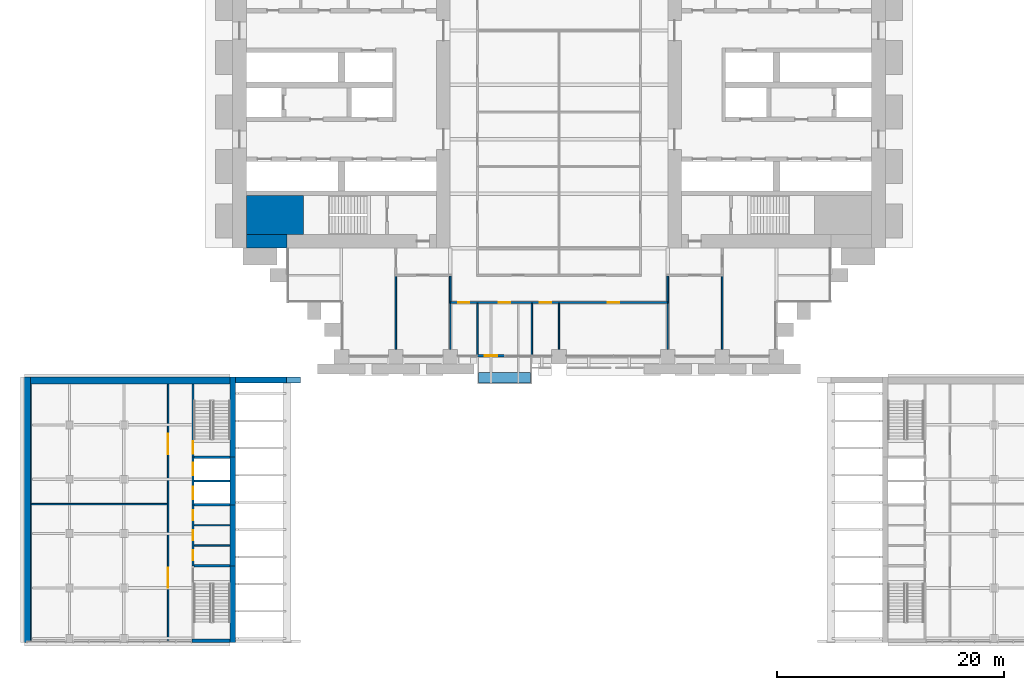
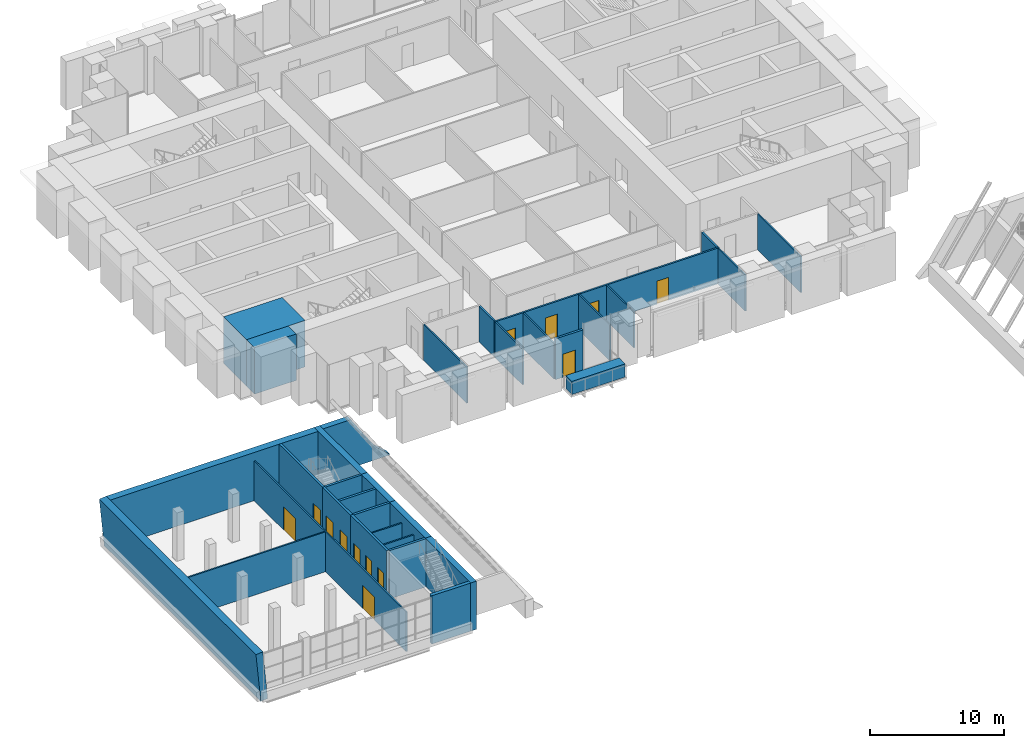
# One storey, part 22 of 32: 33 walls, 13 doors, 13 openings.
"""IFC4 building model written with IfcOpenShell, lengths in metres."""

import ifcopenshell
import ifcopenshell.guid

model = None  # the IFC model being written
_history = None  # IfcOwnerHistory: only IFC2X3 demands one
_inside = {}  # id of a spatial element -> (the spatial element, [elements in it])
_under = {}  # id of a project, library or spatial element -> (it, [spatial elements below it])
_declared = {}  # id of a project -> (the project, [libraries it declares])
_typed = {}  # id of a type object -> (the type object, [elements of that type])
_made_of = {}  # id of a material, layer set ... -> (it, [elements and type objects made of it])


def new_model(schema):
    """Start an empty IFC model of exactly this schema.

    Asked for "IFC4X3", IfcOpenShell would pick the latest addendum, in which some entities
    have other attributes; the version numbers below select the first issue.
    IFC2X3 requires an IfcOwnerHistory on every rooted entity: one is made here for all.
    """
    global model, _history
    if schema == "IFC4X3":
        model = ifcopenshell.file(schema_version=(4, 3, 0, 0))
    else:
        model = ifcopenshell.file(schema=schema)
    _inside.clear()
    _under.clear()
    _declared.clear()
    _typed.clear()
    _made_of.clear()
    _history = None
    if model.schema == "IFC2X3":
        org = make("IfcOrganization", Name="unknown")
        user = make(
            "IfcPersonAndOrganization",
            ThePerson=make("IfcPerson", FamilyName="unknown"),
            TheOrganization=org,
        )
        app = make(
            "IfcApplication",
            ApplicationDeveloper=org,
            Version="unknown",
            ApplicationFullName="unknown",
            ApplicationIdentifier="unknown",
        )
        _history = make(
            "IfcOwnerHistory",
            OwningUser=user,
            OwningApplication=app,
            ChangeAction="ADDED",
            CreationDate=0,
        )
    return model


def make(cls, **values):
    """One entity of the class cls with the attributes given. An attribute that is None is left unset."""
    return model.create_entity(
        cls, **{name: value for name, value in values.items() if value is not None}
    )


def rooted(cls, **values):
    """An entity with a GlobalId (a new one), such as an element, a storey or a relation."""
    return make(cls, GlobalId=ifcopenshell.guid.new(), OwnerHistory=_history, **values)


def si_unit(unit_type, name, prefix=None):
    """IfcSIUnit, for example si_unit("LENGTHUNIT", "METRE", prefix="MILLI")."""
    return make("IfcSIUnit", UnitType=unit_type, Prefix=prefix, Name=name)


def assignment(units):
    """IfcUnitAssignment: the units of a project."""
    return None if units is None else make("IfcUnitAssignment", Units=units)


def point(xyz):
    """IfcCartesianPoint."""
    return None if xyz is None else make("IfcCartesianPoint", Coordinates=xyz)


def direction(xyz):
    """IfcDirection."""
    return None if xyz is None else make("IfcDirection", DirectionRatios=xyz)


def frame(location, z_axis=None, x_axis=None):
    """IfcAxis2Placement3D, a coordinate frame: its origin and axes. An axis left out is left unset."""
    return make(
        "IfcAxis2Placement3D",
        Location=point(location),
        Axis=direction(z_axis),
        RefDirection=direction(x_axis),
    )


def frame_2d(location, x_axis=None):
    """IfcAxis2Placement2D, a coordinate frame in the plane: its origin and x axis."""
    return make(
        "IfcAxis2Placement2D", Location=point(location), RefDirection=direction(x_axis)
    )


def origin():
    """The frame at (0, 0, 0) with its axes left unset."""
    return frame((0.0, 0.0, 0.0))


def place(relative_to, where):
    """IfcLocalPlacement: puts the frame where relative to a parent placement (None: the world)."""
    return make(
        "IfcLocalPlacement", PlacementRelTo=relative_to, RelativePlacement=where
    )


def context(
    kind, dimensions, precision=None, world=None, true_north=None, identifier=None
):
    """IfcGeometricRepresentationContext, for example the 3D "Model" context."""
    return make(
        "IfcGeometricRepresentationContext",
        ContextIdentifier=identifier,
        ContextType=kind,
        CoordinateSpaceDimension=dimensions,
        Precision=precision,
        WorldCoordinateSystem=world,
        TrueNorth=true_north,
    )


def subcontext(parent, identifier, kind, view, scale=None):
    """IfcGeometricRepresentationSubContext, for example "Body" below "Model"."""
    return make(
        "IfcGeometricRepresentationSubContext",
        ContextIdentifier=identifier,
        ContextType=kind,
        ParentContext=parent,
        TargetScale=scale,
        TargetView=view,
    )


def project(units=None, contexts=None):
    """IfcProject with its units and contexts."""
    return rooted(
        "IfcProject",
        Name="project",
        RepresentationContexts=contexts,
        UnitsInContext=assignment(units),
    )


def spatial(cls, under=None, at=None, **own):
    """A site, building, storey or space (cls), placed at a placement, below another one or the project."""
    s = rooted(cls, ObjectPlacement=at, **own)
    if under is not None:
        _under.setdefault(under.id(), (under, []))[1].append(s)
    return s


def polyline(points):
    """IfcPolyline through the points."""
    return make("IfcPolyline", Points=[point(p) for p in points])


def profile(cls, at=None, kind="AREA", **sizes):
    """A parametric profile (cls). Its sizes go by their IFC names, for example OverallWidth=200.0."""
    return make(cls, ProfileType=kind, Position=at, **sizes)


def rectangle(**sizes):
    """IfcRectangleProfileDef."""
    return profile("IfcRectangleProfileDef", **sizes)


def outline(outer, holes=None, kind="AREA"):
    """IfcArbitraryClosedProfileDef: a profile drawn as a closed curve; with holes, ...WithVoids."""
    if holes is None:
        return make("IfcArbitraryClosedProfileDef", ProfileType=kind, OuterCurve=outer)
    return make(
        "IfcArbitraryProfileDefWithVoids",
        ProfileType=kind,
        OuterCurve=outer,
        InnerCurves=holes,
    )


def extrude(swept, where, along, depth):
    """IfcExtrudedAreaSolid: the profile swept, set in the frame where, extruded along a direction by depth."""
    return make(
        "IfcExtrudedAreaSolid",
        SweptArea=swept,
        Position=where,
        ExtrudedDirection=direction(along),
        Depth=depth,
    )


def shape(context_of_items, identifier, shape_type, items):
    """IfcShapeRepresentation: the items that make up one representation, for example the "Body"."""
    return make(
        "IfcShapeRepresentation",
        ContextOfItems=context_of_items,
        RepresentationIdentifier=identifier,
        RepresentationType=shape_type,
        Items=items,
    )


def material(Name=None, Category=None):
    """IfcMaterial."""
    return make("IfcMaterial", Name=Name, Category=Category)


def layer(
    of_material, thickness, ventilated=None, Name=None, Category=None, Priority=None
):
    """IfcMaterialLayer: one layer of a wall or slab, of a material (None: an air gap)."""
    return make(
        "IfcMaterialLayer",
        Material=of_material,
        LayerThickness=thickness,
        IsVentilated=ventilated,
        Name=Name,
        Category=Category,
        Priority=Priority,
    )


def layer_set(layers, Name=None):
    """IfcMaterialLayerSet."""
    return make("IfcMaterialLayerSet", MaterialLayers=layers, LayerSetName=Name)


def made_of(thing, what):
    """Note that an element or type object is made of a material, layer set ...; save() writes the relation."""
    if what is not None:
        _made_of.setdefault(what.id(), (what, []))[1].append(thing)
    return thing


def type_object(cls, material=None, **own):
    """A type object (cls), such as IfcWallType, which elements share."""
    return made_of(rooted(cls, **own), material)


def element(
    cls,
    number,
    at=None,
    inside=None,
    cuts=None,
    type_object=None,
    material=None,
    context=None,
    identifier="Body",
    shape_type=None,
    held_by="IfcProductDefinitionShape",
    body=None,
    shapes=None,
    **own,
):
    """One element of the class cls, such as IfcWall. Its Tag is "e" and its number.

    at: its placement. inside: the storey or other place that contains it. cuts: it is an
    opening in that element (IfcRelVoidsElement). A single representation is given by context,
    identifier, shape_type and body (its items); several are given by shapes. held_by: the class
    of the entity that holds the representations. save() writes the other relations.
    """
    e = rooted(cls, Tag="e%d" % number, ObjectPlacement=at, **own)
    if body is not None:
        shapes = [shape(context, identifier, shape_type, body)]
    if shapes is not None:
        e.Representation = make(held_by, Representations=shapes)
    if inside is not None:
        _inside.setdefault(inside.id(), (inside, []))[1].append(e)
    if cuts is not None:
        rooted(
            "IfcRelVoidsElement", RelatingBuildingElement=cuts, RelatedOpeningElement=e
        )
    if type_object is not None:
        _typed.setdefault(type_object.id(), (type_object, []))[1].append(e)
    return made_of(e, material)


def fill(opening, filler):
    """IfcRelFillsElement: the door or window that sits in an opening."""
    return rooted(
        "IfcRelFillsElement",
        RelatingOpeningElement=opening,
        RelatedBuildingElement=filler,
    )


def aggregate(whole, parts):
    """IfcRelAggregates: a whole, such as a stair, and the parts it consists of."""
    return rooted("IfcRelAggregates", RelatingObject=whole, RelatedObjects=parts)


def save(model, path):
    """Write the relations noted so far, then the file.

    IfcRelAggregates (storeys below a building ...), IfcRelContainedInSpatialStructure (elements
    in a storey), IfcRelDefinesByType, IfcRelAssociatesMaterial and IfcRelDeclares: one each for
    every whole, place, type object, material and project.
    """
    for whole, parts in _under.values():
        aggregate(whole, parts)
    for where, things in _inside.values():
        rooted(
            "IfcRelContainedInSpatialStructure",
            RelatedElements=things,
            RelatingStructure=where,
        )
    for kind, things in _typed.values():
        rooted("IfcRelDefinesByType", RelatedObjects=things, RelatingType=kind)
    for what, things in _made_of.values():
        rooted("IfcRelAssociatesMaterial", RelatedObjects=things, RelatingMaterial=what)
    for by, libraries in _declared.values():
        rooted("IfcRelDeclares", RelatingContext=by, RelatedDefinitions=libraries)
    model.write(path)


model = new_model("IFC4")

# Units and contexts
model_context = context("Model", 3, precision=1e-05, world=origin(), true_north=direction((0.0, 1.0)))
body_context = subcontext(model_context, "Body", "Model", "MODEL_VIEW")
ifc_project = project(units=[si_unit("LENGTHUNIT", "METRE"), si_unit("AREAUNIT", "SQUARE_METRE"), si_unit("VOLUMEUNIT", "CUBIC_METRE"), si_unit("PLANEANGLEUNIT", "RADIAN"), si_unit("MASSUNIT", "GRAM", prefix="KILO")], contexts=[model_context])

# Site, building, storey
site_placement = place(None, origin())
site = spatial("IfcSite", under=ifc_project, at=site_placement, CompositionType="ELEMENT")
building_placement = place(site_placement, origin())
building = spatial("IfcBuilding", under=site, at=building_placement, Name="Baori Bourse Tower", CompositionType="ELEMENT")
storey_placement = place(building_placement, frame((0.0, 0.0, 21.39990234375)))
storey = spatial("IfcBuildingStorey", under=building, at=storey_placement, Name="L03", CompositionType="ELEMENT", Elevation=21.39990234375)

# Walls
ifc_material_1 = material(Name="Concrete f'c 70 MPa", Category="concrete")
wall_type_1 = type_object("IfcWallType", Name="Core corner block f'c 70", PredefinedType="SHEAR", material=ifc_material_1)
wall_1_placement = place(storey_placement, frame((1.199951171875, 12.52490234375, 0.0), z_axis=(0.0, 0.0, 1.0), x_axis=(1.0, 0.0, 0.0)))
element("IfcWall", 1, at=wall_1_placement, inside=storey, type_object=wall_type_1, Name="Core wall W05", PredefinedType="SHEAR", context=body_context, shape_type="SweptSolid", body=[
    extrude(rectangle(XDim=5.050048828125, YDim=3.449951171875, at=frame_2d((2.52490234375, 0.0))), origin(), (0.0, 0.0, 1.0), 4.239990234375),
])
ifc_material_2 = material(Name="Concrete f'c 70 MPa", Category="concrete")
ifc_layer_1 = layer(ifc_material_2, 1.199951171875)
ifc_layer_set_1 = layer_set([ifc_layer_1], Name="Core wall 1200 f'c 70")
wall_type_2 = type_object("IfcWallType", Name="Core wall 1200 f'c 70", PredefinedType="SHEAR", material=ifc_layer_set_1)
wall_2_placement = place(storey_placement, frame((4.800048828125, 10.199951171875, 0.0), z_axis=(0.0, 0.0, 1.0), x_axis=(-1.0, 0.0, 0.0)))
element("IfcWall", 2, at=wall_2_placement, inside=storey, type_object=wall_type_2, Name="Core wall W02", PredefinedType="SHEAR", context=body_context, shape_type="SweptSolid", body=[
    extrude(rectangle(XDim=3.60009765625, YDim=1.199951171875, at=frame_2d((1.800048828125, 0.0))), origin(), (0.0, 0.0, 1.0), 4.239990234375),
])

# Wall, openings, doors
ifc_material_3 = material(Name="Gypsum board partition")
ifc_layer_2 = layer(ifc_material_3, 0.14990234375)
ifc_layer_set_2 = layer_set([ifc_layer_2], Name="Corridor partition 150")
wall_type_3 = type_object("IfcWallType", Name="Corridor partition 150", PredefinedType="PARTITIONING", material=ifc_layer_set_2)
wall_3_placement = place(storey_placement, frame((19.125, 4.800048828125, 0.0), z_axis=(0.0, 0.0, 1.0), x_axis=(1.0, 0.0, 0.0)))
wall_3 = element("IfcWall", 3, at=wall_3_placement, inside=storey, type_object=wall_type_3, Name="Partition", PredefinedType="PARTITIONING", context=body_context, shape_type="SweptSolid", body=[
    extrude(rectangle(XDim=19.35009765625, YDim=0.14990234375, at=frame_2d((9.675048828125, 0.0))), origin(), (0.0, 0.0, 1.0), 3.269775390625),
])
opening_1_placement = place(wall_3_placement, frame((0.77490234375, 0.0, 0.0)))
opening_1 = element("IfcOpeningElement", 4, at=opening_1_placement, cuts=wall_3, Name="Opening L03-D01", PredefinedType="OPENING", context=body_context, shape_type="SweptSolid", body=[
    extrude(rectangle(XDim=1.0, YDim=2.10009765625, at=frame_2d((0.5, 1.050048828125))), frame((0.0, 0.0849609375, 0.0), z_axis=(0.0, -1.0, 0.0), x_axis=(1.0, 0.0, 0.0)), (0.0, 0.0, 1.0), 0.169921875),
])
opening_2_placement = place(wall_3_placement, frame((4.375, 0.0, 0.0)))
opening_2 = element("IfcOpeningElement", 5, at=opening_2_placement, cuts=wall_3, Name="Opening L03-D02", PredefinedType="OPENING", context=body_context, shape_type="SweptSolid", body=[
    extrude(rectangle(XDim=1.0, YDim=2.10009765625, at=frame_2d((0.5, 1.050048828125))), frame((0.0, 0.0849609375, 0.0), z_axis=(0.0, -1.0, 0.0), x_axis=(1.0, 0.0, 0.0)), (0.0, 0.0, 1.0), 0.169921875),
])
opening_3_placement = place(wall_3_placement, frame((7.97509765625, 0.0, 0.0)))
opening_3 = element("IfcOpeningElement", 6, at=opening_3_placement, cuts=wall_3, Name="Opening L03-D03", PredefinedType="OPENING", context=body_context, shape_type="SweptSolid", body=[
    extrude(rectangle(XDim=1.0, YDim=2.10009765625, at=frame_2d((0.5, 1.050048828125))), frame((0.0, 0.0849609375, 0.0), z_axis=(0.0, -1.0, 0.0), x_axis=(1.0, 0.0, 0.0)), (0.0, 0.0, 1.0), 0.169921875),
])
opening_4_placement = place(wall_3_placement, frame((13.97509765625, 0.0, 0.0)))
opening_4 = element("IfcOpeningElement", 7, at=opening_4_placement, cuts=wall_3, Name="Opening L03-D04", PredefinedType="OPENING", context=body_context, shape_type="SweptSolid", body=[
    extrude(rectangle(XDim=1.0, YDim=2.10009765625, at=frame_2d((0.5, 1.050048828125))), frame((0.0, 0.0849609375, 0.0), z_axis=(0.0, -1.0, 0.0), x_axis=(1.0, 0.0, 0.0)), (0.0, 0.0, 1.0), 0.169921875),
])
ifc_material_4 = material(Name="Timber door leaf", Category="wood")
door_type_1 = type_object("IfcDoorType", Name="Door 1000 x 2100", OperationType="SINGLE_SWING_LEFT", PredefinedType="DOOR", material=ifc_material_4)
door_1_placement = place(opening_1_placement, origin())
door_1 = element("IfcDoor", 8, at=door_1_placement, inside=storey, type_object=door_type_1, Name="Door", OperationType="SINGLE_SWING_LEFT", OverallHeight=2.10009765625, OverallWidth=1.0, PredefinedType="DOOR", context=body_context, shape_type="SweptSolid", body=[
    extrude(rectangle(XDim=1.0, YDim=2.10009765625, at=frame_2d((0.5, 1.050048828125))), frame((0.0, 0.02490234375, 0.0), z_axis=(0.0, -1.0, 0.0), x_axis=(1.0, 0.0, 0.0)), (0.0, 0.0, 1.0), 0.050048828125),
])
fill(opening_1, door_1)
door_2_placement = place(opening_2_placement, origin())
door_2 = element("IfcDoor", 9, at=door_2_placement, inside=storey, type_object=door_type_1, Name="Door", OperationType="SINGLE_SWING_LEFT", OverallHeight=2.10009765625, OverallWidth=1.0, PredefinedType="DOOR", context=body_context, shape_type="SweptSolid", body=[
    extrude(rectangle(XDim=1.0, YDim=2.10009765625, at=frame_2d((0.5, 1.050048828125))), frame((0.0, 0.02490234375, 0.0), z_axis=(0.0, -1.0, 0.0), x_axis=(1.0, 0.0, 0.0)), (0.0, 0.0, 1.0), 0.050048828125),
])
fill(opening_2, door_2)
door_3_placement = place(opening_3_placement, origin())
door_3 = element("IfcDoor", 10, at=door_3_placement, inside=storey, type_object=door_type_1, Name="Door", OperationType="SINGLE_SWING_LEFT", OverallHeight=2.10009765625, OverallWidth=1.0, PredefinedType="DOOR", context=body_context, shape_type="SweptSolid", body=[
    extrude(rectangle(XDim=1.0, YDim=2.10009765625, at=frame_2d((0.5, 1.050048828125))), frame((0.0, 0.02490234375, 0.0), z_axis=(0.0, -1.0, 0.0), x_axis=(1.0, 0.0, 0.0)), (0.0, 0.0, 1.0), 0.050048828125),
])
fill(opening_3, door_3)
door_4_placement = place(opening_4_placement, origin())
door_4 = element("IfcDoor", 11, at=door_4_placement, inside=storey, type_object=door_type_1, Name="Door", OperationType="SINGLE_SWING_RIGHT", OverallHeight=2.10009765625, OverallWidth=1.0, PredefinedType="DOOR", context=body_context, shape_type="SweptSolid", body=[
    extrude(rectangle(XDim=1.0, YDim=2.10009765625, at=frame_2d((0.5, 1.050048828125))), frame((0.0, 0.02490234375, 0.0), z_axis=(0.0, -1.0, 0.0), x_axis=(1.0, 0.0, 0.0)), (0.0, 0.0, 1.0), 0.050048828125),
])
fill(opening_4, door_4)

# Walls
for number, where, z_axis, x_axis, name in (
    (12, (19.199951171875, 4.875, 0.0), (0.0, 0.0, 1.0), (0.0, 1.0, 0.0), "Partition"),
    (13, (38.39990234375, 4.875, 0.0), (0.0, 0.0, 1.0), (0.0, 1.0, 0.0), "Partition"),
):
    element("IfcWall", number, at=place(storey_placement, frame(where, z_axis=z_axis, x_axis=x_axis)), inside=storey, type_object=wall_type_3, Name=name, PredefinedType="PARTITIONING", context=body_context, shape_type="SweptSolid", body=[
        extrude(rectangle(XDim=2.25, YDim=0.14990234375, at=frame_2d((1.125, 0.0))), origin(), (0.0, 0.0, 1.0), 3.269775390625),
    ])

# Wall, opening, door
ifc_material_5 = material(Name="Pale anodised aluminium", Category="aluminium")
ifc_layer_3 = layer(ifc_material_5, 0.199951171875)
ifc_layer_set_3 = layer_set([ifc_layer_3], Name="EW1 External wall bay")
wall_type_4 = type_object("IfcWallType", Name="EW1 External wall bay", PredefinedType="SOLIDWALL", material=ifc_layer_set_3)
wall_4_placement = place(storey_placement, frame((21.60009765625, 0.10009765625, 0.0), z_axis=(0.0, 0.0, 1.0), x_axis=(1.0, 0.0, 0.0)))
wall_4 = element("IfcWall", 14, at=wall_4_placement, inside=storey, type_object=wall_type_4, Name="External wall bay L03 2", PredefinedType="SOLIDWALL", context=body_context, shape_type="SweptSolid", body=[
    extrude(rectangle(XDim=2.39990234375, YDim=0.199951171875, at=frame_2d((1.199951171875, 0.0))), origin(), (0.0, 0.0, 1.0), 3.71435546875),
])
opening_5_placement = place(wall_4_placement, frame((0.64990234375, 0.0, 0.0)))
opening_5 = element("IfcOpeningElement", 15, at=opening_5_placement, cuts=wall_4, Name="Opening L03-D92", PredefinedType="OPENING", context=body_context, shape_type="SweptSolid", body=[
    extrude(rectangle(XDim=1.10009765625, YDim=2.10009765625, at=frame_2d((0.550048828125, 1.050048828125))), frame((0.0, 0.10986328125, 0.0), z_axis=(0.0, -1.0, 0.0), x_axis=(1.0, 0.0, 0.0)), (0.0, 0.0, 1.0), 0.219970703125),
])
ifc_material_6 = material(Name="Pale anodised aluminium", Category="aluminium")
door_type_2 = type_object("IfcDoorType", Name="BL1 Balcony door", OperationType="SINGLE_SWING_LEFT", PredefinedType="DOOR", material=ifc_material_6)
door_5_placement = place(opening_5_placement, origin())
door_5 = element("IfcDoor", 16, at=door_5_placement, inside=storey, type_object=door_type_2, Name="Balcony door L03 2", OperationType="SINGLE_SWING_LEFT", OverallHeight=2.10009765625, OverallWidth=1.10009765625, PredefinedType="DOOR", context=body_context, shape_type="SweptSolid", body=[
    extrude(rectangle(XDim=1.10009765625, YDim=2.10009765625, at=frame_2d((0.550048828125, 1.050048828125))), frame((0.0, 0.02490234375, 0.0), z_axis=(0.0, -1.0, 0.0), x_axis=(1.0, 0.0, 0.0)), (0.0, 0.0, 1.0), 0.050048828125),
])
fill(opening_5, door_5)

# Walls
ifc_material_7 = material(Name="Concrete f'c 50 MPa", Category="concrete")
ifc_layer_4 = layer(ifc_material_7, 0.300048828125)
ifc_layer_set_4 = layer_set([ifc_layer_4], Name="Entrance wall 300")
wall_type_5 = type_object("IfcWallType", Name="Entrance wall 300", PredefinedType="SOLIDWALL", material=ifc_layer_set_4)
wall_5_placement = place(storey_placement, frame((-3.60009765625, -25.050048828125, 0.0), z_axis=(0.0, 0.0, 1.0), x_axis=(1.0, 0.0, 0.0)))
element("IfcWall", 17, at=wall_5_placement, inside=storey, type_object=wall_type_5, Name="wing/L03/Wsouthwall/001", PredefinedType="SOLIDWALL", context=body_context, shape_type="SweptSolid", body=[
    extrude(rectangle(XDim=3.35009765625, YDim=0.300048828125, at=frame_2d((1.675048828125, 0.0))), origin(), (0.0, 0.0, 1.0), 4.400146484375),
])
ifc_material_8 = material(Name="Concrete f'c 50 MPa", Category="concrete")
ifc_layer_5 = layer(ifc_material_8, 0.5)
ifc_layer_set_5 = layer_set([ifc_layer_5], Name="Hall end wall 500")
wall_type_6 = type_object("IfcWallType", Name="Hall end wall 500", PredefinedType="SOLIDWALL", material=ifc_layer_set_5)
wall_6_placement = place(storey_placement, frame((0.0, -1.800048828125, 0.0), z_axis=(0.0, 0.0, 1.0), x_axis=(0.0, -1.0, 0.0)))
element("IfcWall", 18, at=wall_6_placement, inside=storey, type_object=wall_type_6, Name="wing/L03/Whallwall/001", PredefinedType="SOLIDWALL", context=body_context, shape_type="SweptSolid", body=[
    extrude(rectangle(XDim=7.06005859375, YDim=0.5, at=frame_2d((3.530029296875, 0.0))), origin(), (0.0, 0.0, 1.0), 4.400146484375),
])
wall_7_placement = place(storey_placement, frame((0.0, -8.860107421875, 0.0), z_axis=(0.0, 0.0, 1.0), x_axis=(0.0, -1.0, 0.0)))
element("IfcWall", 19, at=wall_7_placement, inside=storey, type_object=wall_type_6, Name="wing/L03/Whallwall/002", PredefinedType="SOLIDWALL", context=body_context, shape_type="SweptSolid", body=[
    extrude(rectangle(XDim=4.199951171875, YDim=0.5, at=frame_2d((2.10009765625, 0.0))), origin(), (0.0, 0.0, 1.0), 4.400146484375),
])
wall_8_placement = place(storey_placement, frame((0.0, -13.06005859375, 0.0), z_axis=(0.0, 0.0, 1.0), x_axis=(0.0, -1.0, 0.0)))
element("IfcWall", 20, at=wall_8_placement, inside=storey, type_object=wall_type_6, Name="wing/L03/Whallwall/003", PredefinedType="SOLIDWALL", context=body_context, shape_type="SweptSolid", body=[
    extrude(rectangle(XDim=5.3798828125, YDim=0.5, at=frame_2d((2.68994140625, 0.0))), origin(), (0.0, 0.0, 1.0), 4.400146484375),
])
wall_9_placement = place(storey_placement, frame((0.0, -18.43994140625, 0.0), z_axis=(0.0, 0.0, 1.0), x_axis=(0.0, -1.0, 0.0)))
element("IfcWall", 21, at=wall_9_placement, inside=storey, type_object=wall_type_6, Name="wing/L03/Whallwall/004", PredefinedType="SOLIDWALL", context=body_context, shape_type="SweptSolid", body=[
    extrude(rectangle(XDim=6.760009765625, YDim=0.5, at=frame_2d((3.3798828125, 0.0))), origin(), (0.0, 0.0, 1.0), 4.400146484375),
])
ifc_material_9 = material(Name="Concrete f'c 50 MPa", Category="concrete")
ifc_layer_6 = layer(ifc_material_9, 0.5)
ifc_layer_set_6 = layer_set([ifc_layer_6], Name="Hall north wall 500")
wall_type_7 = type_object("IfcWallType", Name="Hall north wall 500", PredefinedType="SOLIDWALL", material=ifc_layer_set_6)
wall_10_placement = place(storey_placement, frame((0.25, -2.050048828125, 0.0), z_axis=(0.0, 0.0, 1.0), x_axis=(1.0, 0.0, 0.0)))
element("IfcWall", 22, at=wall_10_placement, inside=storey, type_object=wall_type_7, Name="wing/L03/hallnorth/001", PredefinedType="SOLIDWALL", context=body_context, shape_type="SweptSolid", body=[
    extrude(outline(polyline([(0.0, 0.0), (5.72314453125, 0.0), (5.72314453125, 0.10009765625), (4.550048828125, 1.130126953125), (2.37744140625, 4.400146484375), (0.0, 4.400146484375), (0.0, 0.0)])), frame((0.0, 0.25, 0.0), z_axis=(0.0, -1.0, 0.0), x_axis=(1.0, 0.0, 0.0)), (0.0, 0.0, 1.0), 0.5),
])
ifc_material_10 = material(Name="Concrete f'c 50 MPa", Category="concrete")
ifc_layer_7 = layer(ifc_material_10, 0.60009765625)
ifc_layer_set_7 = layer_set([ifc_layer_7], Name="Leaning end wall 600")
wall_type_8 = type_object("IfcWallType", Name="Leaning end wall 600", PredefinedType="SOLIDWALL", material=ifc_layer_set_7)
wall_11_placement = place(storey_placement, frame((-17.75, -25.199951171875, 0.0), z_axis=(0.995398398048, 0.0, 0.095822905211), x_axis=(0.0, 1.0, 0.0)))
element("IfcWall", 23, at=wall_11_placement, inside=storey, type_object=wall_type_8, Name="wing/L03/Wleanwall/001", PredefinedType="SOLIDWALL", context=body_context, shape_type="SweptSolid", body=[
    extrude(outline(polyline([(0.0, 0.0), (23.39990234375, 0.0), (23.39990234375, 4.420487809707959), (0.0, 4.420487809707959), (0.0, 0.0)])), origin(), (0.0, 0.0, -1.0), 0.60009765625),
])
ifc_material_11 = material(Name="Concrete f'c 40 MPa", Category="concrete")
ifc_layer_8 = layer(ifc_material_11, 0.89990234375)
ifc_layer_set_8 = layer_set([ifc_layer_8], Name="PW1 Planter wall")
wall_type_9 = type_object("IfcWallType", Name="PW1 Planter wall", PredefinedType="USERDEFINED", material=ifc_layer_set_8)
wall_12_placement = place(storey_placement, frame((21.699951171875, -1.85009765625, 0.0), z_axis=(0.0, 0.0, 1.0), x_axis=(1.0, 0.0, 0.0)))
element("IfcWall", 24, at=wall_12_placement, inside=storey, type_object=wall_type_9, Name="Planter balcony S L03 1", ObjectType="PLANTER", PredefinedType="USERDEFINED", context=body_context, shape_type="SweptSolid", body=[
    extrude(rectangle(XDim=4.60009765625, YDim=0.89990234375, at=frame_2d((2.300048828125, 0.0))), origin(), (0.0, 0.0, 1.0), 1.2001953125),
])
ifc_material_12 = material(Name="Gypsum board partition")
ifc_layer_9 = layer(ifc_material_12, 0.125)
ifc_layer_set_9 = layer_set([ifc_layer_9], Name="Partition 125")
wall_type_10 = type_object("IfcWallType", Name="Partition 125", PredefinedType="PARTITIONING", material=ifc_layer_set_9)
wall_13_placement = place(storey_placement, frame((14.39990234375, 0.64990234375, 0.0), z_axis=(0.0, 0.0, 1.0), x_axis=(0.0, 1.0, 0.0)))
element("IfcWall", 25, at=wall_13_placement, inside=storey, type_object=wall_type_10, Name="Partition", PredefinedType="PARTITIONING", context=body_context, shape_type="SweptSolid", body=[
    extrude(rectangle(XDim=6.47509765625, YDim=0.125, at=frame_2d((3.237548828125, 0.0))), origin(), (0.0, 0.0, 1.0), 3.269775390625),
])
wall_14_placement = place(storey_placement, frame((19.199951171875, 0.64990234375, 0.0), z_axis=(0.0, 0.0, 1.0), x_axis=(0.0, 1.0, 0.0)))
element("IfcWall", 26, at=wall_14_placement, inside=storey, type_object=wall_type_10, Name="Partition", PredefinedType="PARTITIONING", context=body_context, shape_type="SweptSolid", body=[
    extrude(rectangle(XDim=4.0751953125, YDim=0.125, at=frame_2d((2.03759765625, 0.0))), origin(), (0.0, 0.0, 1.0), 3.269775390625),
])
for number, where, z_axis, x_axis, name in (
    (27, (21.60009765625, 0.10009765625, 0.0), (0.0, 0.0, 1.0), (0.0, 1.0, 0.0), "Partition"),
    (28, (26.39990234375, 0.10009765625, 0.0), (0.0, 0.0, 1.0), (0.0, 1.0, 0.0), "Partition"),
):
    element("IfcWall", number, at=place(storey_placement, frame(where, z_axis=z_axis, x_axis=x_axis)), inside=storey, type_object=wall_type_10, Name=name, PredefinedType="PARTITIONING", context=body_context, shape_type="SweptSolid", body=[
        extrude(rectangle(XDim=4.625, YDim=0.125, at=frame_2d((2.3125, 0.0))), origin(), (0.0, 0.0, 1.0), 3.269775390625),
    ])
for number, where, z_axis, x_axis, name in (
    (29, (28.800048828125, 0.64990234375, 0.0), (0.0, 0.0, 1.0), (0.0, 1.0, 0.0), "Partition"),
    (30, (38.39990234375, 0.64990234375, 0.0), (0.0, 0.0, 1.0), (0.0, 1.0, 0.0), "Partition"),
):
    element("IfcWall", number, at=place(storey_placement, frame(where, z_axis=z_axis, x_axis=x_axis)), inside=storey, type_object=wall_type_10, Name=name, PredefinedType="PARTITIONING", context=body_context, shape_type="SweptSolid", body=[
        extrude(rectangle(XDim=4.0751953125, YDim=0.125, at=frame_2d((2.03759765625, 0.0))), origin(), (0.0, 0.0, 1.0), 3.269775390625),
    ])
wall_15_placement = place(storey_placement, frame((43.199951171875, 0.64990234375, 0.0), z_axis=(0.0, 0.0, 1.0), x_axis=(0.0, 1.0, 0.0)))
element("IfcWall", 31, at=wall_15_placement, inside=storey, type_object=wall_type_10, Name="Partition", PredefinedType="PARTITIONING", context=body_context, shape_type="SweptSolid", body=[
    extrude(rectangle(XDim=6.47509765625, YDim=0.125, at=frame_2d((3.237548828125, 0.0))), origin(), (0.0, 0.0, 1.0), 3.269775390625),
])

# Wall, opening, door
ifc_material_13 = material(Name="Concrete f'c 50 MPa", Category="concrete")
ifc_layer_10 = layer(ifc_material_13, 0.199951171875)
ifc_layer_set_10 = layer_set([ifc_layer_10], Name="Shaft wall 200")
wall_type_11 = type_object("IfcWallType", Name="Shaft wall 200", PredefinedType="SOLIDWALL", material=ifc_layer_set_10)
wall_16_placement = place(storey_placement, frame((-3.5, -2.39990234375, 0.0), z_axis=(0.0, 0.0, 1.0), x_axis=(0.0, -1.0, 0.0)))
wall_16 = element("IfcWall", 32, at=wall_16_placement, inside=storey, type_object=wall_type_11, Name="wing/L03/WcorrwallE/001", PredefinedType="SOLIDWALL", context=body_context, shape_type="SweptSolid", body=[
    extrude(rectangle(XDim=6.460205078125, YDim=0.199951171875, at=frame_2d((3.22998046875, 0.0))), origin(), (0.0, 0.0, 1.0), 4.400146484375),
])
opening_6_placement = place(wall_16_placement, frame((5.050048828125, 0.0, 0.0)))
opening_6 = element("IfcOpeningElement", 33, at=opening_6_placement, cuts=wall_16, Name="Opening WGW-L03-01", PredefinedType="OPENING", context=body_context, shape_type="SweptSolid", body=[
    extrude(rectangle(XDim=1.10009765625, YDim=2.10009765625, at=frame_2d((0.550048828125, 1.050048828125))), frame((0.0, 0.10986328125, 0.0), z_axis=(0.0, -1.0, 0.0), x_axis=(1.0, 0.0, 0.0)), (0.0, 0.0, 1.0), 0.219970703125),
])
ifc_material_14 = material(Name="Steel fire door", Category="steel")
door_type_3 = type_object("IfcDoorType", Name="Wing stair door 1100", OperationType="SINGLE_SWING_LEFT", PredefinedType="DOOR", material=ifc_material_14)
door_6_placement = place(opening_6_placement, origin())
door_6 = element("IfcDoor", 34, at=door_6_placement, inside=storey, type_object=door_type_3, Name="WGW-L03-01", OperationType="SINGLE_SWING_LEFT", OverallHeight=2.10009765625, OverallWidth=1.10009765625, PredefinedType="DOOR", context=body_context, shape_type="SweptSolid", body=[
    extrude(rectangle(XDim=1.10009765625, YDim=2.10009765625, at=frame_2d((0.550048828125, 1.050048828125))), frame((0.0, 0.02490234375, 0.0), z_axis=(0.0, -1.0, 0.0), x_axis=(1.0, 0.0, 0.0)), (0.0, 0.0, 1.0), 0.050048828125),
])
fill(opening_6, door_6)

# Wall, openings, doors
wall_17_placement = place(storey_placement, frame((-3.5, -8.860107421875, 0.0), z_axis=(0.0, 0.0, 1.0), x_axis=(0.0, -1.0, 0.0)))
wall_17 = element("IfcWall", 35, at=wall_17_placement, inside=storey, type_object=wall_type_11, Name="wing/L03/WcorrwallE/002", PredefinedType="SOLIDWALL", context=body_context, shape_type="SweptSolid", body=[
    extrude(rectangle(XDim=4.199951171875, YDim=0.199951171875, at=frame_2d((2.10009765625, 0.0))), origin(), (0.0, 0.0, 1.0), 4.400146484375),
])
opening_7_placement = place(wall_17_placement, frame((0.5, 0.0, 0.0)))
opening_7 = element("IfcOpeningElement", 36, at=opening_7_placement, cuts=wall_17, Name="Opening LD-W-L03-P", PredefinedType="OPENING", context=body_context, shape_type="SweptSolid", body=[
    extrude(rectangle(XDim=1.10009765625, YDim=2.10009765625, at=frame_2d((0.550048828125, 1.050048828125))), frame((0.0, 0.10986328125, 0.0), z_axis=(0.0, -1.0, 0.0), x_axis=(1.0, 0.0, 0.0)), (0.0, 0.0, 1.0), 0.219970703125),
])
opening_8_placement = place(wall_17_placement, frame((2.60009765625, 0.0, 0.0)))
opening_8 = element("IfcOpeningElement", 37, at=opening_8_placement, cuts=wall_17, Name="Opening LD-W-L03-S", PredefinedType="OPENING", context=body_context, shape_type="SweptSolid", body=[
    extrude(rectangle(XDim=1.10009765625, YDim=2.10009765625, at=frame_2d((0.550048828125, 1.050048828125))), frame((0.0, 0.10986328125, 0.0), z_axis=(0.0, -1.0, 0.0), x_axis=(1.0, 0.0, 0.0)), (0.0, 0.0, 1.0), 0.219970703125),
])
ifc_material_15 = material(Name="Stainless steel door", Category="steel")
door_type_4 = type_object("IfcDoorType", Name="Lift landing door 1100", OperationType="SLIDING_TO_LEFT", PredefinedType="DOOR", material=ifc_material_15)
door_7_placement = place(opening_7_placement, origin())
door_7 = element("IfcDoor", 38, at=door_7_placement, inside=storey, type_object=door_type_4, Name="LD-W-L03-P", OperationType="SLIDING_TO_LEFT", OverallHeight=2.10009765625, OverallWidth=1.10009765625, PredefinedType="DOOR", context=body_context, shape_type="SweptSolid", body=[
    extrude(rectangle(XDim=1.10009765625, YDim=2.10009765625, at=frame_2d((0.550048828125, 1.050048828125))), frame((0.0, 0.02490234375, 0.0), z_axis=(0.0, -1.0, 0.0), x_axis=(1.0, 0.0, 0.0)), (0.0, 0.0, 1.0), 0.050048828125),
])
fill(opening_7, door_7)
door_8_placement = place(opening_8_placement, origin())
door_8 = element("IfcDoor", 39, at=door_8_placement, inside=storey, type_object=door_type_4, Name="LD-W-L03-S", OperationType="SLIDING_TO_LEFT", OverallHeight=2.10009765625, OverallWidth=1.10009765625, PredefinedType="DOOR", context=body_context, shape_type="SweptSolid", body=[
    extrude(rectangle(XDim=1.10009765625, YDim=2.10009765625, at=frame_2d((0.550048828125, 1.050048828125))), frame((0.0, 0.02490234375, 0.0), z_axis=(0.0, -1.0, 0.0), x_axis=(1.0, 0.0, 0.0)), (0.0, 0.0, 1.0), 0.050048828125),
])
fill(opening_8, door_8)

wall_18_placement = place(storey_placement, frame((-3.5, -13.06005859375, 0.0), z_axis=(0.0, 0.0, 1.0), x_axis=(0.0, -1.0, 0.0)))
wall_18 = element("IfcWall", 40, at=wall_18_placement, inside=storey, type_object=wall_type_11, Name="wing/L03/WcorrwallE/003", PredefinedType="SOLIDWALL", context=body_context, shape_type="SweptSolid", body=[
    extrude(rectangle(XDim=5.3798828125, YDim=0.199951171875, at=frame_2d((2.68994140625, 0.0))), origin(), (0.0, 0.0, 1.0), 4.400146484375),
])
opening_9_placement = place(wall_18_placement, frame((0.4716796875, 0.0, 0.0)))
opening_9 = element("IfcOpeningElement", 41, at=opening_9_placement, cuts=wall_18, Name="Opening WGW-L03-05", PredefinedType="OPENING", context=body_context, shape_type="SweptSolid", body=[
    extrude(rectangle(XDim=0.89990234375, YDim=2.10009765625, at=frame_2d((0.449951171875, 1.050048828125))), frame((0.0, 0.10986328125, 0.0), z_axis=(0.0, -1.0, 0.0), x_axis=(1.0, 0.0, 0.0)), (0.0, 0.0, 1.0), 0.219970703125),
])
opening_10_placement = place(wall_18_placement, frame((2.239990234375, 0.0, 0.0)))
opening_10 = element("IfcOpeningElement", 42, at=opening_10_placement, cuts=wall_18, Name="Opening WGW-L03-06", PredefinedType="OPENING", context=body_context, shape_type="SweptSolid", body=[
    extrude(rectangle(XDim=0.89990234375, YDim=2.10009765625, at=frame_2d((0.449951171875, 1.050048828125))), frame((0.0, 0.10986328125, 0.0), z_axis=(0.0, -1.0, 0.0), x_axis=(1.0, 0.0, 0.0)), (0.0, 0.0, 1.0), 0.219970703125),
])
opening_11_placement = place(wall_18_placement, frame((4.00830078125, 0.0, 0.0)))
opening_11 = element("IfcOpeningElement", 43, at=opening_11_placement, cuts=wall_18, Name="Opening WGW-L03-07", PredefinedType="OPENING", context=body_context, shape_type="SweptSolid", body=[
    extrude(rectangle(XDim=0.89990234375, YDim=2.10009765625, at=frame_2d((0.449951171875, 1.050048828125))), frame((0.0, 0.10986328125, 0.0), z_axis=(0.0, -1.0, 0.0), x_axis=(1.0, 0.0, 0.0)), (0.0, 0.0, 1.0), 0.219970703125),
])
ifc_material_16 = material(Name="Timber door", Category="wood")
door_type_5 = type_object("IfcDoorType", Name="Wing toilet door 900x2100", OperationType="SINGLE_SWING_LEFT", PredefinedType="DOOR", material=ifc_material_16)
door_9_placement = place(opening_9_placement, origin())
door_9 = element("IfcDoor", 44, at=door_9_placement, inside=storey, type_object=door_type_5, Name="WGW-L03-05", OperationType="SINGLE_SWING_LEFT", OverallHeight=2.10009765625, OverallWidth=0.89990234375, PredefinedType="DOOR", context=body_context, shape_type="SweptSolid", body=[
    extrude(rectangle(XDim=0.89990234375, YDim=2.10009765625, at=frame_2d((0.449951171875, 1.050048828125))), frame((0.0, 0.02490234375, 0.0), z_axis=(0.0, -1.0, 0.0), x_axis=(1.0, 0.0, 0.0)), (0.0, 0.0, 1.0), 0.050048828125),
])
fill(opening_9, door_9)
door_10_placement = place(opening_10_placement, origin())
door_10 = element("IfcDoor", 45, at=door_10_placement, inside=storey, type_object=door_type_5, Name="WGW-L03-06", OperationType="SINGLE_SWING_LEFT", OverallHeight=2.10009765625, OverallWidth=0.89990234375, PredefinedType="DOOR", context=body_context, shape_type="SweptSolid", body=[
    extrude(rectangle(XDim=0.89990234375, YDim=2.10009765625, at=frame_2d((0.449951171875, 1.050048828125))), frame((0.0, 0.02490234375, 0.0), z_axis=(0.0, -1.0, 0.0), x_axis=(1.0, 0.0, 0.0)), (0.0, 0.0, 1.0), 0.050048828125),
])
fill(opening_10, door_10)
door_11_placement = place(opening_11_placement, origin())
door_11 = element("IfcDoor", 46, at=door_11_placement, inside=storey, type_object=door_type_5, Name="WGW-L03-07", OperationType="SINGLE_SWING_LEFT", OverallHeight=2.10009765625, OverallWidth=0.89990234375, PredefinedType="DOOR", context=body_context, shape_type="SweptSolid", body=[
    extrude(rectangle(XDim=0.89990234375, YDim=2.10009765625, at=frame_2d((0.449951171875, 1.050048828125))), frame((0.0, 0.02490234375, 0.0), z_axis=(0.0, -1.0, 0.0), x_axis=(1.0, 0.0, 0.0)), (0.0, 0.0, 1.0), 0.050048828125),
])
fill(opening_11, door_11)

# Walls
for number, where, z_axis, x_axis, name in (
    (47, (-3.39990234375, -8.860107421875, 0.0), (0.0, 0.0, 1.0), (1.0, 0.0, 0.0), "wing/L03/Wshaftwall/001"),
    (48, (-3.39990234375, -10.9599609375, 0.0), (0.0, 0.0, 1.0), (1.0, 0.0, 0.0), "wing/L03/Wshaftwall/002"),
    (49, (-3.39990234375, -13.06005859375, 0.0), (0.0, 0.0, 1.0), (1.0, 0.0, 0.0), "wing/L03/Wshaftwall/003"),
    (50, (-3.39990234375, -18.43994140625, 0.0), (0.0, 0.0, 1.0), (1.0, 0.0, 0.0), "wing/L03/Wshaftwall/004"),
):
    element("IfcWall", number, at=place(storey_placement, frame(where, z_axis=z_axis, x_axis=x_axis)), inside=storey, type_object=wall_type_11, Name=name, PredefinedType="SOLIDWALL", context=body_context, shape_type="SweptSolid", body=[
        extrude(rectangle(XDim=3.14990234375, YDim=0.199951171875, at=frame_2d((1.574951171875, 0.0))), origin(), (0.0, 0.0, 1.0), 4.400146484375),
    ])
ifc_material_17 = material(Name="Concrete f'c 50 MPa", Category="concrete")
ifc_layer_11 = layer(ifc_material_17, 0.60009765625)
ifc_layer_set_11 = layer_set([ifc_layer_11], Name="Wing north wall 600")
wall_type_12 = type_object("IfcWallType", Name="Wing north wall 600", PredefinedType="SOLIDWALL", material=ifc_layer_set_11)
wall_19_placement = place(storey_placement, frame((-0.25, -2.10009765625, 0.0), z_axis=(0.0, 0.0, 1.0), x_axis=(-1.0, 0.0, 0.0)))
element("IfcWall", 51, at=wall_19_placement, inside=storey, type_object=wall_type_12, Name="wing/L03/Wnorthwall/001", PredefinedType="SOLIDWALL", context=body_context, shape_type="SweptSolid", body=[
    extrude(outline(polyline([(0.0, 0.0), (17.5, 0.0), (17.923583984375, 4.400146484375), (0.0, 4.400146484375), (0.0, 0.0)])), frame((0.0, 0.300048828125, 0.0), z_axis=(0.0, -1.0, 0.0), x_axis=(1.0, 0.0, 0.0)), (0.0, 0.0, 1.0), 0.60009765625),
])

# Wall, openings, doors
ifc_material_18 = material(Name="Gypsum board partition")
ifc_layer_12 = layer(ifc_material_18, 0.125)
ifc_layer_set_12 = layer_set([ifc_layer_12], Name="Wing partition 125")
wall_type_13 = type_object("IfcWallType", Name="Wing partition 125", PredefinedType="PARTITIONING", material=ifc_layer_set_12)
wall_20_placement = place(storey_placement, frame((-5.699951171875, -25.10009765625, 0.0), z_axis=(0.0, 0.0, 1.0), x_axis=(0.0, 1.0, 0.0)))
wall_20 = element("IfcWall", 52, at=wall_20_placement, inside=storey, type_object=wall_type_13, Name="wing/L03/WcorrwallW/001", PredefinedType="PARTITIONING", context=body_context, shape_type="SweptSolid", body=[
    extrude(rectangle(XDim=22.7001953125, YDim=0.125, at=frame_2d((11.35009765625, 0.0))), origin(), (0.0, 0.0, 1.0), 3.6201171875),
])
opening_12_placement = place(wall_20_placement, frame((16.5, 0.0, 0.0)))
opening_12 = element("IfcOpeningElement", 53, at=opening_12_placement, cuts=wall_20, Name="Opening WGW-L03-03", PredefinedType="OPENING", context=body_context, shape_type="SweptSolid", body=[
    extrude(rectangle(XDim=1.800048828125, YDim=2.10009765625, at=frame_2d((0.89990234375, 1.050048828125))), frame((0.0, 0.072509765625, 0.0), z_axis=(0.0, -1.0, 0.0), x_axis=(1.0, 0.0, 0.0)), (0.0, 0.0, 1.0), 0.14501953125),
])
opening_13_placement = place(wall_20_placement, frame((4.699951171875, 0.0, 0.0)))
opening_13 = element("IfcOpeningElement", 54, at=opening_13_placement, cuts=wall_20, Name="Opening WGW-L03-04", PredefinedType="OPENING", context=body_context, shape_type="SweptSolid", body=[
    extrude(rectangle(XDim=1.800048828125, YDim=2.10009765625, at=frame_2d((0.89990234375, 1.050048828125))), frame((0.0, 0.072509765625, 0.0), z_axis=(0.0, -1.0, 0.0), x_axis=(1.0, 0.0, 0.0)), (0.0, 0.0, 1.0), 0.14501953125),
])
ifc_material_19 = material(Name="Timber door", Category="wood")
door_type_6 = type_object("IfcDoorType", Name="Wing double door 1800x2100", OperationType="DOUBLE_DOOR_SINGLE_SWING", PredefinedType="DOOR", material=ifc_material_19)
door_12_placement = place(opening_12_placement, origin())
door_12 = element("IfcDoor", 55, at=door_12_placement, inside=storey, type_object=door_type_6, Name="WGW-L03-03", OperationType="DOUBLE_DOOR_SINGLE_SWING", OverallHeight=2.10009765625, OverallWidth=1.800048828125, PredefinedType="DOOR", context=body_context, shape_type="SweptSolid", body=[
    extrude(rectangle(XDim=1.800048828125, YDim=2.10009765625, at=frame_2d((0.89990234375, 1.050048828125))), frame((0.0, 0.02490234375, 0.0), z_axis=(0.0, -1.0, 0.0), x_axis=(1.0, 0.0, 0.0)), (0.0, 0.0, 1.0), 0.050048828125),
])
fill(opening_12, door_12)
door_13_placement = place(opening_13_placement, origin())
door_13 = element("IfcDoor", 56, at=door_13_placement, inside=storey, type_object=door_type_6, Name="WGW-L03-04", OperationType="DOUBLE_DOOR_SINGLE_SWING", OverallHeight=2.10009765625, OverallWidth=1.800048828125, PredefinedType="DOOR", context=body_context, shape_type="SweptSolid", body=[
    extrude(rectangle(XDim=1.800048828125, YDim=2.10009765625, at=frame_2d((0.89990234375, 1.050048828125))), frame((0.0, 0.02490234375, 0.0), z_axis=(0.0, -1.0, 0.0), x_axis=(1.0, 0.0, 0.0)), (0.0, 0.0, 1.0), 0.050048828125),
])
fill(opening_13, door_13)

# Walls
wall_21_placement = place(storey_placement, frame((-5.762451171875, -13.0, 0.0), z_axis=(0.0, 0.0, 1.0), x_axis=(-1.0, 0.0, 0.0)))
element("IfcWall", 57, at=wall_21_placement, inside=storey, type_object=wall_type_13, Name="wing/L03/Wmidwall/001", PredefinedType="PARTITIONING", context=body_context, shape_type="SweptSolid", body=[
    extrude(rectangle(XDim=11.987548828125, YDim=0.125, at=frame_2d((5.99365234375, 0.0))), origin(), (0.0, 0.0, 1.0), 3.6201171875),
])
for number, where, z_axis, x_axis, name in (
    (58, (-3.39990234375, -14.86572265625, 0.0), (0.0, 0.0, 1.0), (1.0, 0.0, 0.0), "wing/L03/Wwcwall/001"),
    (59, (-3.39990234375, -16.63427734375, 0.0), (0.0, 0.0, 1.0), (1.0, 0.0, 0.0), "wing/L03/Wwcwall/002"),
):
    element("IfcWall", number, at=place(storey_placement, frame(where, z_axis=z_axis, x_axis=x_axis)), inside=storey, type_object=wall_type_13, Name=name, PredefinedType="PARTITIONING", context=body_context, shape_type="SweptSolid", body=[
        extrude(rectangle(XDim=3.14990234375, YDim=0.125, at=frame_2d((1.574951171875, 0.0))), origin(), (0.0, 0.0, 1.0), 3.6201171875),
    ])

save(model, "model.ifc")
